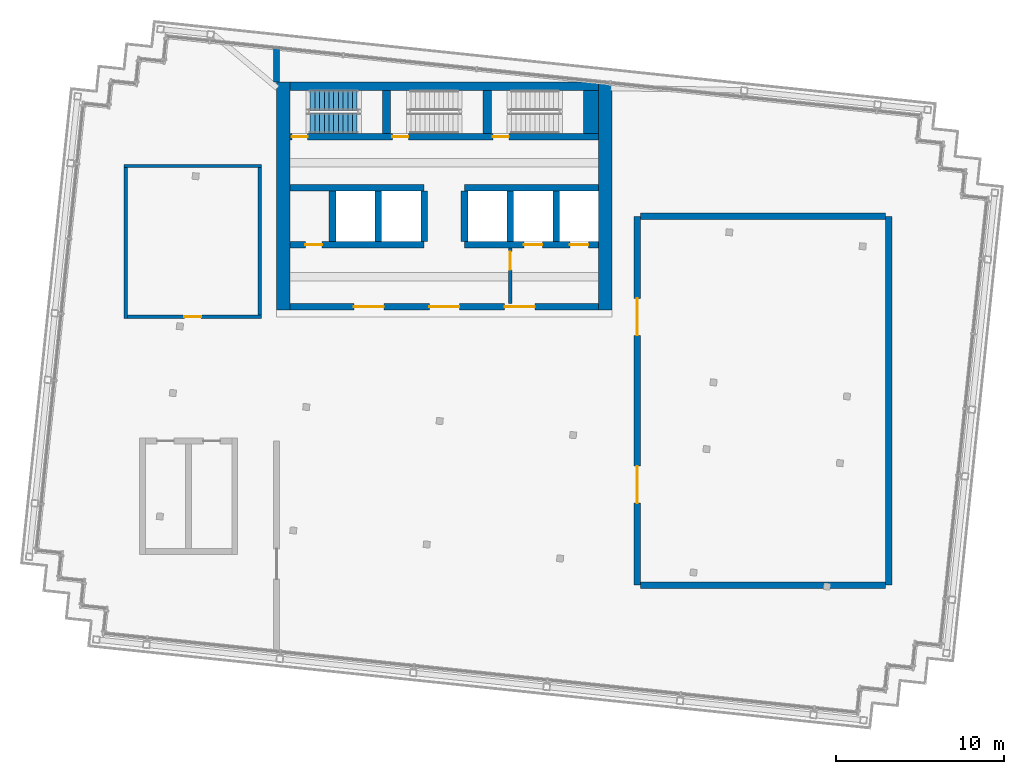
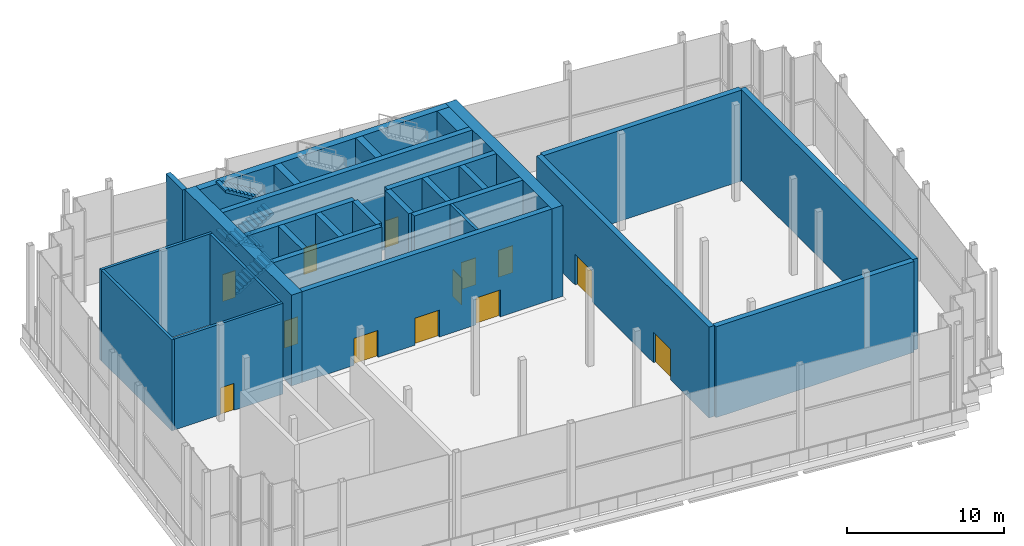
# One storey, part 9 of 14: 28 walls, 13 doors, 4 stair flights, 13 openings, 1 element without a shape of its own.
"""IFC4 building model written with IfcOpenShell, lengths in metres."""

from ifc_helpers import new_model, si_unit, direction, frame, frame_2d, origin, place, context, subcontext, project, spatial, polyline, rectangle, outline, extrude, material, layer, layer_set, type_object, element, fill, aggregate, save


model = new_model("IFC4")

# Units and contexts
model_context = context("Model", 3, precision=1e-05, world=origin(), true_north=direction((0.0, 1.0)))
body_context = subcontext(model_context, "Body", "Model", "MODEL_VIEW")
ifc_project = project(units=[si_unit("LENGTHUNIT", "METRE"), si_unit("AREAUNIT", "SQUARE_METRE"), si_unit("VOLUMEUNIT", "CUBIC_METRE"), si_unit("PLANEANGLEUNIT", "RADIAN"), si_unit("MASSUNIT", "GRAM", prefix="KILO")], contexts=[model_context])

# Site, building, storey
site_placement = place(None, origin())
site = spatial("IfcSite", under=ifc_project, at=site_placement, CompositionType="ELEMENT")
building_placement = place(site_placement, origin())
building = spatial("IfcBuilding", under=site, at=building_placement, Name="Vidyagriha Tower", CompositionType="ELEMENT")
storey_placement = place(building_placement, frame((0.0, 0.0, 301.699951171875)))
storey = spatial("IfcBuildingStorey", under=building, at=storey_placement, Name="L78", CompositionType="ELEMENT", Elevation=301.699951171875)

# Wall, openings, doors
ifc_material_1 = material(Name="Concrete C60/75", Category="concrete")
ifc_layer_1 = layer(ifc_material_1, 0.39990234375)
ifc_layer_set_1 = layer_set([ifc_layer_1], Name="Concrete C60/75")
wall_type_1 = type_object("IfcWallType", Name="Core shear wall 400 mm", PredefinedType="SHEAR", material=ifc_layer_set_1)
wall_1_placement = place(storey_placement, frame((-9.199951171875, 6.60009765625, 0.0)))
wall_1 = element("IfcWall", 1, at=wall_1_placement, inside=storey, type_object=wall_type_1, Name="Core south wall", PredefinedType="SHEAR", context=body_context, shape_type="SweptSolid", body=[
    extrude(rectangle(XDim=18.39990234375, YDim=0.39990234375, at=frame_2d((9.199951171875, 0.0))), origin(), (0.0, 0.0, 1.0), 7.080078125),
])
opening_1_placement = place(wall_1_placement, frame((8.300048828125, 0.0, 0.0)))
opening_1 = element("IfcOpeningElement", 2, at=opening_1_placement, cuts=wall_1, Name="Opening D78-01", PredefinedType="OPENING", context=body_context, shape_type="SweptSolid", body=[
    extrude(rectangle(XDim=1.800048828125, YDim=2.10009765625, at=frame_2d((0.89990234375, 1.050048828125))), frame((0.0, 0.2099609375, 0.0), z_axis=(0.0, -1.0, 0.0), x_axis=(1.0, 0.0, 0.0)), (0.0, 0.0, 1.0), 0.419921875),
])
opening_2_placement = place(wall_1_placement, frame((3.800048828125, 0.0, 0.0)))
opening_2 = element("IfcOpeningElement", 3, at=opening_2_placement, cuts=wall_1, Name="Opening D78-02", PredefinedType="OPENING", context=body_context, shape_type="SweptSolid", body=[
    extrude(rectangle(XDim=1.800048828125, YDim=2.10009765625, at=frame_2d((0.89990234375, 1.050048828125))), frame((0.0, 0.2099609375, 0.0), z_axis=(0.0, -1.0, 0.0), x_axis=(1.0, 0.0, 0.0)), (0.0, 0.0, 1.0), 0.419921875),
])
opening_3_placement = place(wall_1_placement, frame((12.800048828125, 0.0, 0.0)))
opening_3 = element("IfcOpeningElement", 4, at=opening_3_placement, cuts=wall_1, Name="Opening D78-03", PredefinedType="OPENING", context=body_context, shape_type="SweptSolid", body=[
    extrude(rectangle(XDim=1.800048828125, YDim=2.10009765625, at=frame_2d((0.89990234375, 1.050048828125))), frame((0.0, 0.2099609375, 0.0), z_axis=(0.0, -1.0, 0.0), x_axis=(1.0, 0.0, 0.0)), (0.0, 0.0, 1.0), 0.419921875),
])
ifc_material_2 = material(Name="Hollow metal door leaf")
door_type_1 = type_object("IfcDoorType", Name="Core lobby double door 1800 x 2100 mm EI 60", OperationType="NOTDEFINED", PredefinedType="DOOR", material=ifc_material_2)
door_1_placement = place(opening_1_placement, frame((1.800048828125, 0.0, 0.0), z_axis=(0.0, 0.0, 1.0), x_axis=(-1.0, 0.0, 0.0)))
door_1 = element("IfcDoor", 5, at=door_1_placement, inside=storey, type_object=door_type_1, Name="Core entrance door L78", OperationType="DOUBLE_DOOR_SINGLE_SWING", OverallHeight=2.10009765625, OverallWidth=1.800048828125, PredefinedType="DOOR", context=body_context, shape_type="SweptSolid", body=[
    extrude(rectangle(XDim=1.800048828125, YDim=2.10009765625, at=frame_2d((0.89990234375, 1.050048828125))), frame((0.0, 0.02490234375, 0.0), z_axis=(0.0, -1.0, 0.0), x_axis=(1.0, 0.0, 0.0)), (0.0, 0.0, 1.0), 0.050048828125),
])
fill(opening_1, door_1)
door_2_placement = place(opening_2_placement, frame((1.800048828125, 0.0, 0.0), z_axis=(0.0, 0.0, 1.0), x_axis=(-1.0, 0.0, 0.0)))
door_2 = element("IfcDoor", 6, at=door_2_placement, inside=storey, type_object=door_type_1, Name="Core entrance door west L78", OperationType="DOUBLE_DOOR_SINGLE_SWING", OverallHeight=2.10009765625, OverallWidth=1.800048828125, PredefinedType="DOOR", context=body_context, shape_type="SweptSolid", body=[
    extrude(rectangle(XDim=1.800048828125, YDim=2.10009765625, at=frame_2d((0.89990234375, 1.050048828125))), frame((0.0, 0.02490234375, 0.0), z_axis=(0.0, -1.0, 0.0), x_axis=(1.0, 0.0, 0.0)), (0.0, 0.0, 1.0), 0.050048828125),
])
fill(opening_2, door_2)
door_3_placement = place(opening_3_placement, frame((1.800048828125, 0.0, 0.0), z_axis=(0.0, 0.0, 1.0), x_axis=(-1.0, 0.0, 0.0)))
door_3 = element("IfcDoor", 7, at=door_3_placement, inside=storey, type_object=door_type_1, Name="Core entrance door east L78", OperationType="DOUBLE_DOOR_SINGLE_SWING", OverallHeight=2.10009765625, OverallWidth=1.800048828125, PredefinedType="DOOR", context=body_context, shape_type="SweptSolid", body=[
    extrude(rectangle(XDim=1.800048828125, YDim=2.10009765625, at=frame_2d((0.89990234375, 1.050048828125))), frame((0.0, 0.02490234375, 0.0), z_axis=(0.0, -1.0, 0.0), x_axis=(1.0, 0.0, 0.0)), (0.0, 0.0, 1.0), 0.050048828125),
])
fill(opening_3, door_3)

# Wall, opening, door
wall_2_placement = place(storey_placement, frame((-9.199951171875, 10.300048828125, 0.0)))
wall_2 = element("IfcWall", 8, at=wall_2_placement, inside=storey, type_object=wall_type_1, Name="Core row N front wall", PredefinedType="SHEAR", context=body_context, shape_type="SweptSolid", body=[
    extrude(rectangle(XDim=8.0, YDim=0.39990234375, at=frame_2d((4.0, 0.0))), origin(), (0.0, 0.0, 1.0), 7.080078125),
])
opening_4_placement = place(wall_2_placement, frame((0.916748046875, 0.0, 0.0)))
opening_4 = element("IfcOpeningElement", 9, at=opening_4_placement, cuts=wall_2, Name="Opening D78-04", PredefinedType="OPENING", context=body_context, shape_type="SweptSolid", body=[
    extrude(rectangle(XDim=1.0, YDim=2.10009765625, at=frame_2d((0.5, 1.050048828125))), frame((0.0, 0.2099609375, 0.0), z_axis=(0.0, -1.0, 0.0), x_axis=(1.0, 0.0, 0.0)), (0.0, 0.0, 1.0), 0.419921875),
])
ifc_material_3 = material(Name="Hollow metal door leaf")
door_type_2 = type_object("IfcDoorType", Name="Core room door 1000 x 2100 mm EI 60", OperationType="NOTDEFINED", PredefinedType="DOOR", material=ifc_material_3)
door_4_placement = place(opening_4_placement, frame((1.0, 0.0, 0.0), z_axis=(0.0, 0.0, 1.0), x_axis=(-1.0, 0.0, 0.0)))
door_4 = element("IfcDoor", 10, at=door_4_placement, inside=storey, type_object=door_type_2, Name="Door Pressurisation Plant Room 78.14", OperationType="SINGLE_SWING_RIGHT", OverallHeight=2.10009765625, OverallWidth=1.0, PredefinedType="DOOR", context=body_context, shape_type="SweptSolid", body=[
    extrude(rectangle(XDim=1.0, YDim=2.10009765625, at=frame_2d((0.5, 1.050048828125))), frame((0.0, 0.02490234375, 0.0), z_axis=(0.0, -1.0, 0.0), x_axis=(1.0, 0.0, 0.0)), (0.0, 0.0, 1.0), 0.050048828125),
])
fill(opening_4, door_4)

# Wall
wall_3_placement = place(storey_placement, frame((-9.199951171875, 13.699951171875, 0.0)))
element("IfcWall", 11, at=wall_3_placement, inside=storey, type_object=wall_type_1, Name="Core row N rear wall", PredefinedType="SHEAR", context=body_context, shape_type="SweptSolid", body=[
    extrude(rectangle(XDim=8.0, YDim=0.39990234375, at=frame_2d((4.0, 0.0))), origin(), (0.0, 0.0, 1.0), 7.080078125),
])

# Wall, openings, doors
wall_4_placement = place(storey_placement, frame((1.199951171875, 10.300048828125, 0.0)))
wall_4 = element("IfcWall", 12, at=wall_4_placement, inside=storey, type_object=wall_type_1, Name="Core row N front wall", PredefinedType="SHEAR", context=body_context, shape_type="SweptSolid", body=[
    extrude(rectangle(XDim=8.0, YDim=0.39990234375, at=frame_2d((4.0, 0.0))), origin(), (0.0, 0.0, 1.0), 7.080078125),
])
opening_5_placement = place(wall_4_placement, frame((3.550048828125, 0.0, 0.0)))
opening_5 = element("IfcOpeningElement", 13, at=opening_5_placement, cuts=wall_4, Name="Opening LD78-01", PredefinedType="OPENING", context=body_context, shape_type="SweptSolid", body=[
    extrude(rectangle(XDim=1.10009765625, YDim=2.10009765625, at=frame_2d((0.550048828125, 1.050048828125))), frame((0.0, 0.2099609375, 0.0), z_axis=(0.0, -1.0, 0.0), x_axis=(1.0, 0.0, 0.0)), (0.0, 0.0, 1.0), 0.419921875),
])
opening_6_placement = place(wall_4_placement, frame((6.283203125, 0.0, 0.0)))
opening_6 = element("IfcOpeningElement", 14, at=opening_6_placement, cuts=wall_4, Name="Opening LD78-02", PredefinedType="OPENING", context=body_context, shape_type="SweptSolid", body=[
    extrude(rectangle(XDim=1.10009765625, YDim=2.10009765625, at=frame_2d((0.550048828125, 1.050048828125))), frame((0.0, 0.2099609375, 0.0), z_axis=(0.0, -1.0, 0.0), x_axis=(1.0, 0.0, 0.0)), (0.0, 0.0, 1.0), 0.419921875),
])
ifc_material_4 = material(Name="Stainless steel sliding door panel", Category="steel")
door_type_3 = type_object("IfcDoorType", Name="Lift landing door 1100 x 2100 mm EI 90", OperationType="NOTDEFINED", PredefinedType="DOOR", material=ifc_material_4)
door_5_placement = place(opening_5_placement, origin())
door_5 = element("IfcDoor", 15, at=door_5_placement, inside=storey, type_object=door_type_3, Name="Landing door FF1 L78", OperationType="SLIDING_TO_LEFT", OverallHeight=2.10009765625, OverallWidth=1.10009765625, PredefinedType="DOOR", context=body_context, shape_type="SweptSolid", body=[
    extrude(rectangle(XDim=1.10009765625, YDim=2.10009765625, at=frame_2d((0.550048828125, 1.050048828125))), frame((0.0, 0.02490234375, 0.0), z_axis=(0.0, -1.0, 0.0), x_axis=(1.0, 0.0, 0.0)), (0.0, 0.0, 1.0), 0.050048828125),
])
fill(opening_5, door_5)
door_6_placement = place(opening_6_placement, origin())
door_6 = element("IfcDoor", 16, at=door_6_placement, inside=storey, type_object=door_type_3, Name="Landing door FF2 L78", OperationType="SLIDING_TO_LEFT", OverallHeight=2.10009765625, OverallWidth=1.10009765625, PredefinedType="DOOR", context=body_context, shape_type="SweptSolid", body=[
    extrude(rectangle(XDim=1.10009765625, YDim=2.10009765625, at=frame_2d((0.550048828125, 1.050048828125))), frame((0.0, 0.02490234375, 0.0), z_axis=(0.0, -1.0, 0.0), x_axis=(1.0, 0.0, 0.0)), (0.0, 0.0, 1.0), 0.050048828125),
])
fill(opening_6, door_6)

# Walls
wall_5_placement = place(storey_placement, frame((1.199951171875, 13.699951171875, 0.0)))
element("IfcWall", 17, at=wall_5_placement, inside=storey, type_object=wall_type_1, Name="Core row N rear wall", PredefinedType="SHEAR", context=body_context, shape_type="SweptSolid", body=[
    extrude(rectangle(XDim=8.0, YDim=0.39990234375, at=frame_2d((4.0, 0.0))), origin(), (0.0, 0.0, 1.0), 7.080078125),
])
for number, where, z_axis, x_axis, name in (
    (18, (-6.666748046875, 10.5, 0.0), (0.0, 0.0, 1.0), (0.0, 1.0, 0.0), "Core bay wall N1"),
    (19, (-3.933349609375, 10.5, 0.0), (0.0, 0.0, 1.0), (0.0, 1.0, 0.0), "Core bay wall N2"),
    (20, (-1.199951171875, 10.5, 0.0), (0.0, 0.0, 1.0), (0.0, 1.0, 0.0), "Core bay wall N3"),
    (21, (1.199951171875, 10.5, 0.0), (0.0, 0.0, 1.0), (0.0, 1.0, 0.0), "Core bay wall N4"),
    (22, (3.933349609375, 10.5, 0.0), (0.0, 0.0, 1.0), (0.0, 1.0, 0.0), "Core bay wall N5"),
    (23, (6.666748046875, 10.5, 0.0), (0.0, 0.0, 1.0), (0.0, 1.0, 0.0), "Core bay wall N6"),
):
    element("IfcWall", number, at=place(storey_placement, frame(where, z_axis=z_axis, x_axis=x_axis)), inside=storey, type_object=wall_type_1, Name=name, PredefinedType="SHEAR", context=body_context, shape_type="SweptSolid", body=[
        extrude(rectangle(XDim=3.0, YDim=0.39990234375, at=frame_2d((1.5, 0.0))), origin(), (0.0, 0.0, 1.0), 7.080078125),
    ])

# Wall, openings, doors
wall_6_placement = place(storey_placement, frame((-9.199951171875, 16.75, 0.0)))
wall_6 = element("IfcWall", 24, at=wall_6_placement, inside=storey, type_object=wall_type_1, Name="Stair front wall", PredefinedType="SHEAR", context=body_context, shape_type="SweptSolid", body=[
    extrude(rectangle(XDim=18.39990234375, YDim=0.39990234375, at=frame_2d((9.199951171875, 0.0))), origin(), (0.0, 0.0, 1.0), 7.080078125),
])
opening_7_placement = place(wall_6_placement, frame((0.10009765625, 0.0, 0.0)))
opening_7 = element("IfcOpeningElement", 25, at=opening_7_placement, cuts=wall_6, Name="Opening D78-06", PredefinedType="OPENING", context=body_context, shape_type="SweptSolid", body=[
    extrude(rectangle(XDim=0.949951171875, YDim=2.10009765625, at=frame_2d((0.47509765625, 1.050048828125))), frame((0.0, 0.2099609375, 0.0), z_axis=(0.0, -1.0, 0.0), x_axis=(1.0, 0.0, 0.0)), (0.0, 0.0, 1.0), 0.419921875),
])
opening_8_placement = place(wall_6_placement, frame((6.10009765625, 0.0, 0.0)))
opening_8 = element("IfcOpeningElement", 26, at=opening_8_placement, cuts=wall_6, Name="Opening D78-07", PredefinedType="OPENING", context=body_context, shape_type="SweptSolid", body=[
    extrude(rectangle(XDim=0.949951171875, YDim=2.10009765625, at=frame_2d((0.47509765625, 1.050048828125))), frame((0.0, 0.2099609375, 0.0), z_axis=(0.0, -1.0, 0.0), x_axis=(1.0, 0.0, 0.0)), (0.0, 0.0, 1.0), 0.419921875),
])
opening_9_placement = place(wall_6_placement, frame((12.10009765625, 0.0, 0.0)))
opening_9 = element("IfcOpeningElement", 27, at=opening_9_placement, cuts=wall_6, Name="Opening D78-08", PredefinedType="OPENING", context=body_context, shape_type="SweptSolid", body=[
    extrude(rectangle(XDim=0.949951171875, YDim=2.10009765625, at=frame_2d((0.47509765625, 1.050048828125))), frame((0.0, 0.2099609375, 0.0), z_axis=(0.0, -1.0, 0.0), x_axis=(1.0, 0.0, 0.0)), (0.0, 0.0, 1.0), 0.419921875),
])
ifc_material_5 = material(Name="Hollow metal door leaf")
door_type_4 = type_object("IfcDoorType", Name="Exit stair door 950 x 2100 mm EI 90", OperationType="NOTDEFINED", PredefinedType="DOOR", material=ifc_material_5)
door_7_placement = place(opening_7_placement, origin())
door_7 = element("IfcDoor", 28, at=door_7_placement, inside=storey, type_object=door_type_4, Name="Stair door ST1 L78", OperationType="SINGLE_SWING_LEFT", OverallHeight=2.10009765625, OverallWidth=0.949951171875, PredefinedType="DOOR", context=body_context, shape_type="SweptSolid", body=[
    extrude(rectangle(XDim=0.949951171875, YDim=2.10009765625, at=frame_2d((0.47509765625, 1.050048828125))), frame((0.0, 0.02490234375, 0.0), z_axis=(0.0, -1.0, 0.0), x_axis=(1.0, 0.0, 0.0)), (0.0, 0.0, 1.0), 0.050048828125),
])
fill(opening_7, door_7)
door_8_placement = place(opening_8_placement, origin())
door_8 = element("IfcDoor", 29, at=door_8_placement, inside=storey, type_object=door_type_4, Name="Stair door ST2 L78", OperationType="SINGLE_SWING_LEFT", OverallHeight=2.10009765625, OverallWidth=0.949951171875, PredefinedType="DOOR", context=body_context, shape_type="SweptSolid", body=[
    extrude(rectangle(XDim=0.949951171875, YDim=2.10009765625, at=frame_2d((0.47509765625, 1.050048828125))), frame((0.0, 0.02490234375, 0.0), z_axis=(0.0, -1.0, 0.0), x_axis=(1.0, 0.0, 0.0)), (0.0, 0.0, 1.0), 0.050048828125),
])
fill(opening_8, door_8)
door_9_placement = place(opening_9_placement, origin())
door_9 = element("IfcDoor", 30, at=door_9_placement, inside=storey, type_object=door_type_4, Name="Stair door ST3 L78", OperationType="SINGLE_SWING_LEFT", OverallHeight=2.10009765625, OverallWidth=0.949951171875, PredefinedType="DOOR", context=body_context, shape_type="SweptSolid", body=[
    extrude(rectangle(XDim=0.949951171875, YDim=2.10009765625, at=frame_2d((0.47509765625, 1.050048828125))), frame((0.0, 0.02490234375, 0.0), z_axis=(0.0, -1.0, 0.0), x_axis=(1.0, 0.0, 0.0)), (0.0, 0.0, 1.0), 0.050048828125),
])
fill(opening_9, door_9)

# Walls
ifc_material_6 = material(Name="Concrete C60/75", Category="concrete")
ifc_layer_2 = layer(ifc_material_6, 0.5)
ifc_layer_set_2 = layer_set([ifc_layer_2], Name="Concrete C60/75")
wall_type_2 = type_object("IfcWallType", Name="Core shear wall 500 mm", PredefinedType="SHEAR", material=ifc_layer_set_2)
wall_7_placement = place(storey_placement, frame((-9.199951171875, 19.75, 0.0)))
element("IfcWall", 31, at=wall_7_placement, inside=storey, type_object=wall_type_2, Name="Core north wall", PredefinedType="SHEAR", context=body_context, shape_type="SweptSolid", body=[
    extrude(rectangle(XDim=18.39990234375, YDim=0.5, at=frame_2d((9.199951171875, 0.0))), origin(), (0.0, 0.0, 1.0), 7.080078125),
])
for number, where, z_axis, x_axis, name in (
    (32, (-3.449951171875, 16.949951171875, 0.0), (0.0, 0.0, 1.0), (0.0, 1.0, 0.0), "Stair partition wall 1"),
    (33, (2.550048828125, 16.949951171875, 0.0), (0.0, 0.0, 1.0), (0.0, 1.0, 0.0), "Stair partition wall 2"),
):
    element("IfcWall", number, at=place(storey_placement, frame(where, z_axis=z_axis, x_axis=x_axis)), inside=storey, type_object=wall_type_2, Name=name, PredefinedType="SHEAR", context=body_context, shape_type="SweptSolid", body=[
        extrude(rectangle(XDim=2.550048828125, YDim=0.5, at=frame_2d((1.27490234375, 0.0))), origin(), (0.0, 0.0, 1.0), 7.080078125),
    ])
ifc_material_7 = material(Name="Concrete C60/75", Category="concrete")
ifc_layer_3 = layer(ifc_material_7, 0.800048828125)
ifc_layer_set_3 = layer_set([ifc_layer_3], Name="Concrete C60/75")
wall_type_3 = type_object("IfcWallType", Name="Core shear wall 800 mm", PredefinedType="SHEAR", material=ifc_layer_set_3)
for number, where, z_axis, x_axis, name in (
    (34, (-9.60009765625, 6.39990234375, 0.0), (0.0, 0.0, 1.0), (0.0, 1.0, 0.0), "Core west wall"),
    (35, (9.60009765625, 6.39990234375, 0.0), (0.0, 0.0, 1.0), (0.0, 1.0, 0.0), "Core east wall"),
):
    element("IfcWall", number, at=place(storey_placement, frame(where, z_axis=z_axis, x_axis=x_axis)), inside=storey, type_object=wall_type_3, Name=name, PredefinedType="SHEAR", context=body_context, shape_type="SweptSolid", body=[
        extrude(rectangle(XDim=13.60009765625, YDim=0.800048828125, at=frame_2d((6.800048828125, 0.0))), origin(), (0.0, 0.0, 1.0), 7.080078125),
    ])
ifc_material_8 = material(Name="Concrete C60/75", Category="concrete")
ifc_layer_4 = layer(ifc_material_8, 0.89990234375)
ifc_layer_set_4 = layer_set([ifc_layer_4], Name="Concrete C60/75")
wall_type_4 = type_object("IfcWallType", Name="Core shear wall 900 mm", PredefinedType="SHEAR", material=ifc_layer_set_4)
wall_8_placement = place(storey_placement, frame((8.75, 16.949951171875, 0.0), z_axis=(0.0, 0.0, 1.0), x_axis=(0.0, 1.0, 0.0)))
element("IfcWall", 36, at=wall_8_placement, inside=storey, type_object=wall_type_4, Name="Stair end wall", PredefinedType="SHEAR", context=body_context, shape_type="SweptSolid", body=[
    extrude(rectangle(XDim=2.550048828125, YDim=0.89990234375, at=frame_2d((1.27490234375, 0.0))), origin(), (0.0, 0.0, 1.0), 7.080078125),
])

# Wall, opening, door
ifc_material_9 = material(Name="Blockwork 15 MPa", Category="masonry")
ifc_layer_5 = layer(ifc_material_9, 0.199951171875)
ifc_layer_set_5 = layer_set([ifc_layer_5], Name="Blockwork 15 MPa")
wall_type_5 = type_object("IfcWallType", Name="Service room partition 200 mm", PredefinedType="PARTITIONING", material=ifc_layer_set_5)
wall_9_placement = place(storey_placement, frame((3.933349609375, 6.800048828125, 0.0), z_axis=(0.0, 0.0, 1.0), x_axis=(0.0, 1.0, 0.0)))
wall_9 = element("IfcWall", 37, at=wall_9_placement, inside=storey, type_object=wall_type_5, Name="Fire-fighting lobby west wall", PredefinedType="PARTITIONING", context=body_context, shape_type="SweptSolid", body=[
    extrude(rectangle(XDim=3.300048828125, YDim=0.199951171875, at=frame_2d((1.64990234375, 0.0))), origin(), (0.0, 0.0, 1.0), 7.080078125),
])
opening_10_placement = place(wall_9_placement, frame((2.0, 0.0, 0.0)))
opening_10 = element("IfcOpeningElement", 38, at=opening_10_placement, cuts=wall_9, Name="Opening D78-05", PredefinedType="OPENING", context=body_context, shape_type="SweptSolid", body=[
    extrude(rectangle(XDim=1.10009765625, YDim=2.10009765625, at=frame_2d((0.550048828125, 1.050048828125))), frame((0.0, 0.10986328125, 0.0), z_axis=(0.0, -1.0, 0.0), x_axis=(1.0, 0.0, 0.0)), (0.0, 0.0, 1.0), 0.219970703125),
])
ifc_material_10 = material(Name="Hollow metal door leaf")
door_type_5 = type_object("IfcDoorType", Name="Fire-fighting lobby door 1100 x 2100 mm EI 90", OperationType="NOTDEFINED", PredefinedType="DOOR", material=ifc_material_10)
door_10_placement = place(opening_10_placement, origin())
door_10 = element("IfcDoor", 39, at=door_10_placement, inside=storey, type_object=door_type_5, Name="Fire-fighting lobby door L78", OperationType="SINGLE_SWING_LEFT", OverallHeight=2.10009765625, OverallWidth=1.10009765625, PredefinedType="DOOR", context=body_context, shape_type="SweptSolid", body=[
    extrude(rectangle(XDim=1.10009765625, YDim=2.10009765625, at=frame_2d((0.550048828125, 1.050048828125))), frame((0.0, 0.02490234375, 0.0), z_axis=(0.0, -1.0, 0.0), x_axis=(1.0, 0.0, 0.0)), (0.0, 0.0, 1.0), 0.050048828125),
])
fill(opening_10, door_10)

# Wall
wall_10_placement = place(storey_placement, frame((-11.0, 6.10009765625, 0.0), z_axis=(0.0, 0.0, 1.0), x_axis=(0.0, 1.0, 0.0)))
element("IfcWall", 40, at=wall_10_placement, inside=storey, type_object=wall_type_5, Name="Damper control room east wall", PredefinedType="PARTITIONING", context=body_context, shape_type="SweptSolid", body=[
    extrude(rectangle(XDim=8.7998046875, YDim=0.199951171875, at=frame_2d((4.39990234375, 0.0))), origin(), (0.0, 0.0, 1.0), 7.080078125),
])

# Wall, opening, door
wall_11_placement = place(storey_placement, frame((-18.89990234375, 6.0, 0.0)))
wall_11 = element("IfcWall", 41, at=wall_11_placement, inside=storey, type_object=wall_type_5, Name="Damper control room south wall", PredefinedType="PARTITIONING", context=body_context, shape_type="SweptSolid", body=[
    extrude(rectangle(XDim=8.0, YDim=0.199951171875, at=frame_2d((4.0, 0.0))), origin(), (0.0, 0.0, 1.0), 7.080078125),
])
opening_11_placement = place(wall_11_placement, frame((3.39990234375, 0.0, 0.0)))
opening_11 = element("IfcOpeningElement", 42, at=opening_11_placement, cuts=wall_11, Name="Opening D78-11", PredefinedType="OPENING", context=body_context, shape_type="SweptSolid", body=[
    extrude(rectangle(XDim=1.0, YDim=2.10009765625, at=frame_2d((0.5, 1.050048828125))), frame((0.0, 0.10986328125, 0.0), z_axis=(0.0, -1.0, 0.0), x_axis=(1.0, 0.0, 0.0)), (0.0, 0.0, 1.0), 0.219970703125),
])
door_11_placement = place(opening_11_placement, origin())
door_11 = element("IfcDoor", 43, at=door_11_placement, inside=storey, type_object=door_type_2, Name="Door damper control room", OperationType="SINGLE_SWING_RIGHT", OverallHeight=2.10009765625, OverallWidth=1.0, PredefinedType="DOOR", context=body_context, shape_type="SweptSolid", body=[
    extrude(rectangle(XDim=1.0, YDim=2.10009765625, at=frame_2d((0.5, 1.050048828125))), frame((0.0, 0.02490234375, 0.0), z_axis=(0.0, -1.0, 0.0), x_axis=(1.0, 0.0, 0.0)), (0.0, 0.0, 1.0), 0.050048828125),
])
fill(opening_11, door_11)

# Walls
wall_12_placement = place(storey_placement, frame((-19.0, 5.89990234375, 0.0), z_axis=(0.0, 0.0, 1.0), x_axis=(0.0, 1.0, 0.0)))
element("IfcWall", 44, at=wall_12_placement, inside=storey, type_object=wall_type_5, Name="Damper control room west wall", PredefinedType="PARTITIONING", context=body_context, shape_type="SweptSolid", body=[
    extrude(rectangle(XDim=9.0, YDim=0.199951171875, at=frame_2d((4.5, 0.0))), origin(), (0.0, 0.0, 1.0), 7.080078125),
])
wall_13_placement = place(storey_placement, frame((-19.10009765625, 15.0, 0.0)))
element("IfcWall", 45, at=wall_13_placement, inside=storey, type_object=wall_type_5, Name="Damper control room north wall", PredefinedType="PARTITIONING", context=body_context, shape_type="SweptSolid", body=[
    extrude(rectangle(XDim=8.2001953125, YDim=0.199951171875, at=frame_2d((4.10009765625, 0.0))), origin(), (0.0, 0.0, 1.0), 7.080078125),
])
ifc_material_11 = material(Name="Blockwork 15 MPa", Category="masonry")
ifc_layer_6 = layer(ifc_material_11, 0.35009765625)
ifc_layer_set_6 = layer_set([ifc_layer_6], Name="Blockwork 15 MPa")
wall_type_6 = type_object("IfcWallType", Name="Service room partition 350 mm", PredefinedType="PARTITIONING", material=ifc_layer_set_6)
wall_14_placement = place(storey_placement, frame((-10.0, 20.0, 0.0), z_axis=(0.0, 0.0, 1.0), x_axis=(0.0, 1.0, 0.0)))
element("IfcWall", 46, at=wall_14_placement, inside=storey, type_object=wall_type_6, Name="Gallery partition", PredefinedType="PARTITIONING", context=body_context, shape_type="SweptSolid", body=[
    extrude(rectangle(XDim=2.127197265625, YDim=0.35009765625, at=frame_2d((1.0634765625, 0.0))), origin(), (0.0, 0.0, 1.0), 7.080078125),
])

# Wall, openings, doors
ifc_material_12 = material(Name="Blockwork 15 MPa", Category="masonry")
ifc_layer_7 = layer(ifc_material_12, 0.39990234375)
ifc_layer_set_7 = layer_set([ifc_layer_7], Name="Blockwork 15 MPa")
wall_type_7 = type_object("IfcWallType", Name="Service room partition 400 mm", PredefinedType="PARTITIONING", material=ifc_layer_set_7)
wall_15_placement = place(storey_placement, frame((11.5, -10.0, 0.0), z_axis=(0.0, 0.0, 1.0), x_axis=(0.0, 1.0, 0.0)))
wall_15 = element("IfcWall", 47, at=wall_15_placement, inside=storey, type_object=wall_type_7, Name="Damper hall west wall", PredefinedType="PARTITIONING", context=body_context, shape_type="SweptSolid", body=[
    extrude(rectangle(XDim=22.0, YDim=0.39990234375, at=frame_2d((11.0, 0.0))), origin(), (0.0, 0.0, 1.0), 7.080078125),
])
opening_12_placement = place(wall_15_placement, frame((4.89990234375, 0.0, 0.0)))
opening_12 = element("IfcOpeningElement", 48, at=opening_12_placement, cuts=wall_15, Name="Opening D78-09", PredefinedType="OPENING", context=body_context, shape_type="SweptSolid", body=[
    extrude(rectangle(XDim=2.199951171875, YDim=2.39990234375, at=frame_2d((1.10009765625, 1.199951171875))), frame((0.0, 0.2099609375, 0.0), z_axis=(0.0, -1.0, 0.0), x_axis=(1.0, 0.0, 0.0)), (0.0, 0.0, 1.0), 0.419921875),
])
opening_13_placement = place(wall_15_placement, frame((14.89990234375, 0.0, 0.0)))
opening_13 = element("IfcOpeningElement", 49, at=opening_13_placement, cuts=wall_15, Name="Opening D78-10", PredefinedType="OPENING", context=body_context, shape_type="SweptSolid", body=[
    extrude(rectangle(XDim=2.199951171875, YDim=2.39990234375, at=frame_2d((1.10009765625, 1.199951171875))), frame((0.0, 0.2099609375, 0.0), z_axis=(0.0, -1.0, 0.0), x_axis=(1.0, 0.0, 0.0)), (0.0, 0.0, 1.0), 0.419921875),
])
ifc_material_13 = material(Name="Hollow metal door leaf")
door_type_6 = type_object("IfcDoorType", Name="Plant room double door 2200 x 2400 mm EI 90", OperationType="NOTDEFINED", PredefinedType="DOOR", material=ifc_material_13)
door_12_placement = place(opening_12_placement, origin())
door_12 = element("IfcDoor", 50, at=door_12_placement, inside=storey, type_object=door_type_6, Name="Damper hall door 1", OperationType="DOUBLE_DOOR_SINGLE_SWING", OverallHeight=2.39990234375, OverallWidth=2.199951171875, PredefinedType="DOOR", context=body_context, shape_type="SweptSolid", body=[
    extrude(rectangle(XDim=2.199951171875, YDim=2.39990234375, at=frame_2d((1.10009765625, 1.199951171875))), frame((0.0, 0.02490234375, 0.0), z_axis=(0.0, -1.0, 0.0), x_axis=(1.0, 0.0, 0.0)), (0.0, 0.0, 1.0), 0.050048828125),
])
fill(opening_12, door_12)
door_13_placement = place(opening_13_placement, origin())
door_13 = element("IfcDoor", 51, at=door_13_placement, inside=storey, type_object=door_type_6, Name="Damper hall door 2", OperationType="DOUBLE_DOOR_SINGLE_SWING", OverallHeight=2.39990234375, OverallWidth=2.199951171875, PredefinedType="DOOR", context=body_context, shape_type="SweptSolid", body=[
    extrude(rectangle(XDim=2.199951171875, YDim=2.39990234375, at=frame_2d((1.10009765625, 1.199951171875))), frame((0.0, 0.02490234375, 0.0), z_axis=(0.0, -1.0, 0.0), x_axis=(1.0, 0.0, 0.0)), (0.0, 0.0, 1.0), 0.050048828125),
])
fill(opening_13, door_13)

# Walls
wall_16_placement = place(storey_placement, frame((26.5, -10.0, 0.0), z_axis=(0.0, 0.0, 1.0), x_axis=(0.0, 1.0, 0.0)))
element("IfcWall", 52, at=wall_16_placement, inside=storey, type_object=wall_type_7, Name="Damper hall east wall", PredefinedType="PARTITIONING", context=body_context, shape_type="SweptSolid", body=[
    extrude(rectangle(XDim=22.0, YDim=0.39990234375, at=frame_2d((11.0, 0.0))), origin(), (0.0, 0.0, 1.0), 7.080078125),
])
for number, where, name in (
    (53, (11.699951171875, -10.0, 0.0), "Damper hall south wall"),
    (54, (11.699951171875, 12.0, 0.0), "Damper hall north wall"),
):
    element("IfcWall", number, at=place(storey_placement, frame(where)), inside=storey, type_object=wall_type_7, Name=name, PredefinedType="PARTITIONING", context=body_context, shape_type="SweptSolid", body=[
        extrude(rectangle(XDim=14.60009765625, YDim=0.39990234375, at=frame_2d((7.300048828125, 0.0))), origin(), (0.0, 0.0, 1.0), 7.080078125),
    ])

# Stair, stair flights
ifc_material_14 = material(Name="Concrete C40/50", Category="concrete")
stair_type = type_object("IfcStairType", Name="Exit stair, half-turn, precast flights", PredefinedType="HALF_TURN_STAIR", material=ifc_material_14)
stair_placement = place(storey_placement, origin())
stair = element("IfcStair", 55, at=stair_placement, inside=storey, type_object=stair_type, Name="L78 Exit Stair ST1", PredefinedType="HALF_TURN_STAIR")
ifc_material_15 = material(Name="Precast concrete C40/50", Category="concrete")
stair_flight_type = type_object("IfcStairFlightType", Name="Exit stair flight 1200 mm, precast", PredefinedType="STRAIGHT", material=ifc_material_15)
stair_flight_1_placement = place(storey_placement, frame((-8.0, 17.550048828125, 0.0)))
stair_flight_1 = element("IfcStairFlight", 56, at=stair_flight_1_placement, type_object=stair_flight_type, Name="ST1 flight 1", NumberOfRisers=11, NumberOfTreads=10, PredefinedType="STRAIGHT", RiserHeight=0.170454545, TreadLength=0.28, context=body_context, shape_type="SweptSolid", body=[
    extrude(outline(polyline([(0.0, 0.0), (0.0, 0.17041015625), (0.280029296875, 0.17041015625), (0.280029296875, 0.3408203125), (0.56005859375, 0.3408203125), (0.56005859375, 0.511474609375), (0.840087890625, 0.511474609375), (0.840087890625, 0.681884765625), (1.1201171875, 0.681884765625), (1.1201171875, 0.852294921875), (1.39990234375, 0.852294921875), (1.39990234375, 1.022705078125), (1.679931640625, 1.022705078125), (1.679931640625, 1.193115234375), (1.9599609375, 1.193115234375), (1.9599609375, 1.363525390625), (2.239990234375, 1.363525390625), (2.239990234375, 1.5341796875), (2.52001953125, 1.5341796875), (2.52001953125, 1.70458984375), (2.800048828125, 1.70458984375), (2.800048828125, 1.875), (2.800048828125, 1.529052734375), (0.288330078125, 0.0), (0.0, 0.0)])), frame((0.0, 0.60009765625, 0.0), z_axis=(0.0, -1.0, 0.0), x_axis=(1.0, 0.0, 0.0)), (0.0, 0.0, 1.0), 1.199951171875),
])
stair_flight_2_placement = place(storey_placement, frame((-5.199951171875, 18.89990234375, 1.875), z_axis=(0.0, 0.0, 1.0), x_axis=(-1.0, 0.0, 0.0)))
stair_flight_2 = element("IfcStairFlight", 57, at=stair_flight_2_placement, type_object=stair_flight_type, Name="ST1 flight 2", NumberOfRisers=11, NumberOfTreads=10, PredefinedType="STRAIGHT", RiserHeight=0.170454545, TreadLength=0.28, context=body_context, shape_type="SweptSolid", body=[
    extrude(outline(polyline([(0.0, 0.0), (0.0, 0.17041015625), (0.280029296875, 0.17041015625), (0.280029296875, 0.3408203125), (0.56005859375, 0.3408203125), (0.56005859375, 0.511474609375), (0.840087890625, 0.511474609375), (0.840087890625, 0.681884765625), (1.1201171875, 0.681884765625), (1.1201171875, 0.852294921875), (1.39990234375, 0.852294921875), (1.39990234375, 1.022705078125), (1.679931640625, 1.022705078125), (1.679931640625, 1.193115234375), (1.9599609375, 1.193115234375), (1.9599609375, 1.363525390625), (2.239990234375, 1.363525390625), (2.239990234375, 1.5341796875), (2.52001953125, 1.5341796875), (2.52001953125, 1.70458984375), (2.800048828125, 1.70458984375), (2.800048828125, 1.875), (2.800048828125, 1.529052734375), (0.288330078125, 0.0), (0.0, 0.0)])), frame((0.0, 0.60009765625, 0.0), z_axis=(0.0, -1.0, 0.0), x_axis=(1.0, 0.0, 0.0)), (0.0, 0.0, 1.0), 1.199951171875),
])
stair_flight_3_placement = place(storey_placement, frame((-8.0, 17.550048828125, 3.75)))
stair_flight_3 = element("IfcStairFlight", 58, at=stair_flight_3_placement, type_object=stair_flight_type, Name="ST1 flight 3", NumberOfRisers=11, NumberOfTreads=10, PredefinedType="STRAIGHT", RiserHeight=0.170454545, TreadLength=0.28, context=body_context, shape_type="SweptSolid", body=[
    extrude(outline(polyline([(0.0, 0.0), (0.0, 0.17041015625), (0.280029296875, 0.17041015625), (0.280029296875, 0.3408203125), (0.56005859375, 0.3408203125), (0.56005859375, 0.511474609375), (0.840087890625, 0.511474609375), (0.840087890625, 0.681884765625), (1.1201171875, 0.681884765625), (1.1201171875, 0.852294921875), (1.39990234375, 0.852294921875), (1.39990234375, 1.022705078125), (1.679931640625, 1.022705078125), (1.679931640625, 1.193115234375), (1.9599609375, 1.193115234375), (1.9599609375, 1.363525390625), (2.239990234375, 1.363525390625), (2.239990234375, 1.5341796875), (2.52001953125, 1.5341796875), (2.52001953125, 1.70458984375), (2.800048828125, 1.70458984375), (2.800048828125, 1.875), (2.800048828125, 1.529052734375), (0.288330078125, 0.0), (0.0, 0.0)])), frame((0.0, 0.60009765625, 0.0), z_axis=(0.0, -1.0, 0.0), x_axis=(1.0, 0.0, 0.0)), (0.0, 0.0, 1.0), 1.199951171875),
])
stair_flight_4_placement = place(storey_placement, frame((-5.199951171875, 18.89990234375, 5.625), z_axis=(0.0, 0.0, 1.0), x_axis=(-1.0, 0.0, 0.0)))
stair_flight_4 = element("IfcStairFlight", 59, at=stair_flight_4_placement, type_object=stair_flight_type, Name="ST1 flight 4", NumberOfRisers=11, NumberOfTreads=10, PredefinedType="STRAIGHT", RiserHeight=0.170454545, TreadLength=0.28, context=body_context, shape_type="SweptSolid", body=[
    extrude(outline(polyline([(0.0, 0.0), (0.0, 0.17041015625), (0.280029296875, 0.17041015625), (0.280029296875, 0.3408203125), (0.56005859375, 0.3408203125), (0.56005859375, 0.511474609375), (0.840087890625, 0.511474609375), (0.840087890625, 0.681884765625), (1.1201171875, 0.681884765625), (1.1201171875, 0.852294921875), (1.39990234375, 0.852294921875), (1.39990234375, 1.022705078125), (1.679931640625, 1.022705078125), (1.679931640625, 1.193115234375), (1.9599609375, 1.193115234375), (1.9599609375, 1.363525390625), (2.239990234375, 1.363525390625), (2.239990234375, 1.5341796875), (2.52001953125, 1.5341796875), (2.52001953125, 1.70458984375), (2.800048828125, 1.70458984375), (2.800048828125, 1.875), (2.800048828125, 1.529052734375), (0.288330078125, 0.0), (0.0, 0.0)])), frame((0.0, 0.60009765625, 0.0), z_axis=(0.0, -1.0, 0.0), x_axis=(1.0, 0.0, 0.0)), (0.0, 0.0, 1.0), 1.199951171875),
])
aggregate(stair, [stair_flight_1, stair_flight_2, stair_flight_3, stair_flight_4])

save(model, "model.ifc")
